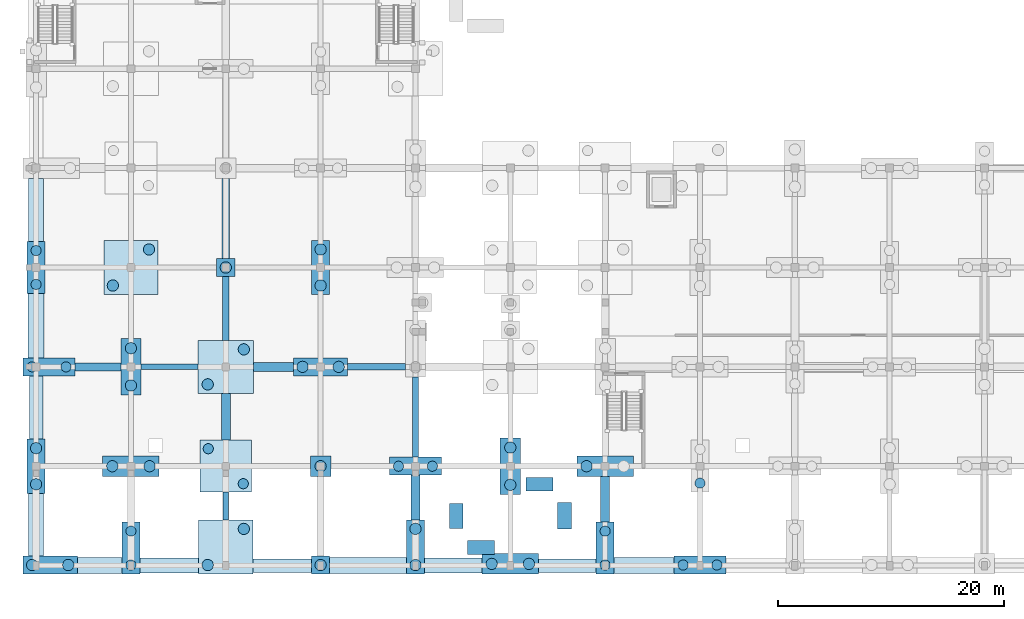
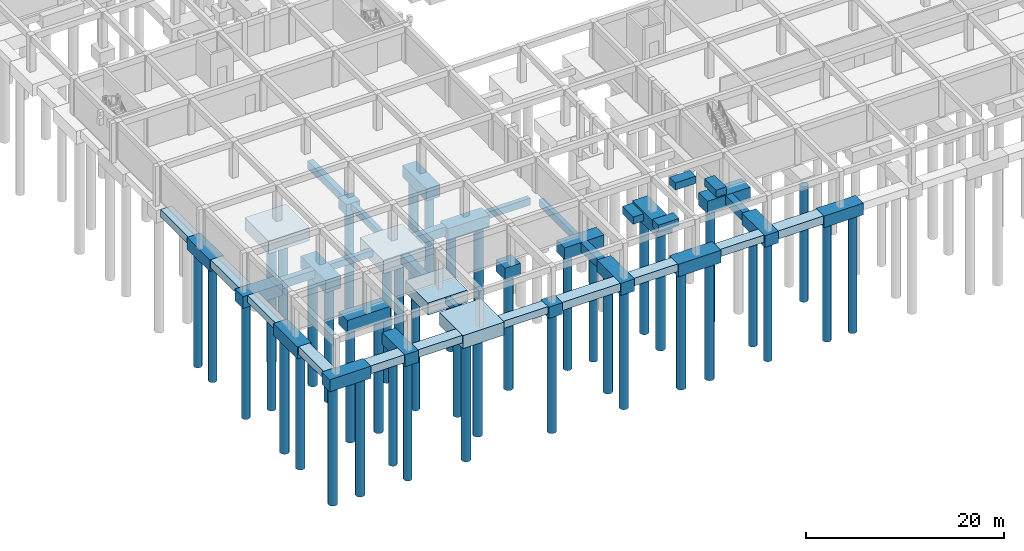
# One storey, part 1 of 41: 49 footings, 43 piles.
"""IFC4 building model written with IfcOpenShell, lengths in metres."""

from ifc_helpers import new_model, si_unit, direction, frame, origin, origin_2d, place, context, subcontext, project, spatial, rectangle, circle, extrude, material, material_profile, profile_set, type_object, element, save


model = new_model("IFC4")

# Units and contexts
model_context = context("Model", 3, precision=1e-05, world=origin(), true_north=direction((0.0, 1.0)))
body_context = subcontext(model_context, "Body", "Model", "MODEL_VIEW")
ifc_project = project(units=[si_unit("LENGTHUNIT", "METRE"), si_unit("AREAUNIT", "SQUARE_METRE"), si_unit("VOLUMEUNIT", "CUBIC_METRE"), si_unit("PLANEANGLEUNIT", "RADIAN"), si_unit("MASSUNIT", "GRAM", prefix="KILO")], contexts=[model_context])

# Site, building, storey
site_placement = place(None, origin())
site = spatial("IfcSite", under=ifc_project, at=site_placement, CompositionType="ELEMENT")
building_placement = place(site_placement, origin())
building = spatial("IfcBuilding", under=site, at=building_placement, Name="Kemercrest Conservatory and Botanical Centre", CompositionType="ELEMENT")
storey_placement = place(building_placement, frame((0.0, 0.0, -4.5)))
storey = spatial("IfcBuildingStorey", under=building, at=storey_placement, Name="B1", CompositionType="ELEMENT", Elevation=-4.5)

# Piles
ifc_material = material(Name="Concrete C40/50", Category="concrete")
ifc_material_profile_1 = material_profile(ifc_material, circle(Radius=0.5, at=origin_2d()), Name="BORED PILE 1000")
ifc_profile_set_1 = profile_set([ifc_material_profile_1], Name="Concrete C40/50")
pile_type_1 = type_object("IfcPileType", Name="BP-01", PredefinedType="BORED", material=ifc_profile_set_1)
for number, where, z_axis, x_axis, name in (
    (1, (7.64990234375, 8.050048828125, -1.39990234375), (0.0, 0.0, -1.0), (1.0, 0.0, 0.0), "Bored pile BP-01 #16"),
    (2, (10.85009765625, 8.050048828125, -1.39990234375), (0.0, 0.0, -1.0), (1.0, 0.0, 0.0), "Bored pile BP-01 #17"),
):
    element("IfcPile", number, at=place(storey_placement, frame(where, z_axis=z_axis, x_axis=x_axis)), inside=storey, type_object=pile_type_1, Name=name, PredefinedType="BORED", context=body_context, shape_type="SweptSolid", body=[
        extrude(circle(Radius=0.5, at=origin_2d()), origin(), (0.0, 0.0, 1.0), 14.60009765625),
    ])
for number, where, z_axis, x_axis, name in (
    (3, (8.0, 15.199951171875, -1.81005859375), (0.0, 0.0, -1.0), (1.0, 0.0, 0.0), "Bored pile BP-01 #18"),
    (4, (8.0, 18.39990234375, -1.81005859375), (0.0, 0.0, -1.0), (1.0, 0.0, 0.0), "Bored pile BP-01 #19"),
):
    element("IfcPile", number, at=place(storey_placement, frame(where, z_axis=z_axis, x_axis=x_axis)), inside=storey, type_object=pile_type_1, Name=name, PredefinedType="BORED", context=body_context, shape_type="SweptSolid", body=[
        extrude(circle(Radius=0.5, at=origin_2d()), origin(), (0.0, 0.0, 1.0), 14.18994140625),
    ])
for number, where, z_axis, x_axis, name in (
    (5, (14.75, 16.800048828125, -1.860107421875), (0.0, 0.0, -1.0), (1.0, 0.0, 0.0), "Bored pile BP-01 #44"),
    (6, (18.050048828125, 16.800048828125, -1.860107421875), (0.0, 0.0, -1.0), (1.0, 0.0, 0.0), "Bored pile BP-01 #45"),
    (7, (16.39990234375, 23.949951171875, -1.860107421875), (0.0, 0.0, -1.0), (1.0, 0.0, 0.0), "Bored pile BP-01 #46"),
    (8, (16.39990234375, 27.25, -1.860107421875), (0.0, 0.0, -1.0), (1.0, 0.0, 0.0), "Bored pile BP-01 #47"),
):
    element("IfcPile", number, at=place(storey_placement, frame(where, z_axis=z_axis, x_axis=x_axis)), inside=storey, type_object=pile_type_1, Name=name, PredefinedType="BORED", context=body_context, shape_type="SweptSolid", body=[
        extrude(circle(Radius=0.5, at=origin_2d()), origin(), (0.0, 0.0, 1.0), 14.139892578125),
    ])
for number, where, z_axis, x_axis, name in (
    (9, (14.800048828125, 32.800048828125, -1.909912109375), (0.0, 0.0, -1.0), (1.0, 0.0, 0.0), "Bored pile BP-01 #48"),
    (10, (18.0, 36.0, -1.909912109375), (0.0, 0.0, -1.0), (1.0, 0.0, 0.0), "Bored pile BP-01 #49"),
):
    element("IfcPile", number, at=place(storey_placement, frame(where, z_axis=z_axis, x_axis=x_axis)), inside=storey, type_object=pile_type_1, Name=name, PredefinedType="BORED", context=body_context, shape_type="SweptSolid", body=[
        extrude(circle(Radius=0.5, at=origin_2d()), origin(), (0.0, 0.0, 1.0), 14.090087890625),
    ])
for number, where, z_axis, x_axis, name in (
    (11, (23.199951171875, 8.050048828125, -1.5), (0.0, 0.0, -1.0), (1.0, 0.0, 0.0), "Bored pile BP-01 #68"),
    (12, (26.39990234375, 11.25, -1.5), (0.0, 0.0, -1.0), (1.0, 0.0, 0.0), "Bored pile BP-01 #69"),
):
    element("IfcPile", number, at=place(storey_placement, frame(where, z_axis=z_axis, x_axis=x_axis)), inside=storey, type_object=pile_type_1, Name=name, PredefinedType="BORED", context=body_context, shape_type="SweptSolid", body=[
        extrude(circle(Radius=0.5, at=origin_2d()), origin(), (0.0, 0.0, 1.0), 14.5),
    ])
for number, where, z_axis, x_axis, name in (
    (13, (23.199951171875, 24.050048828125, -1.9599609375), (0.0, 0.0, -1.0), (1.0, 0.0, 0.0), "Bored pile BP-01 #72"),
    (14, (26.39990234375, 27.14990234375, -1.9599609375), (0.0, 0.0, -1.0), (1.0, 0.0, 0.0), "Bored pile BP-01 #73"),
):
    element("IfcPile", number, at=place(storey_placement, frame(where, z_axis=z_axis, x_axis=x_axis)), inside=storey, type_object=pile_type_1, Name=name, PredefinedType="BORED", context=body_context, shape_type="SweptSolid", body=[
        extrude(circle(Radius=0.5, at=origin_2d()), origin(), (0.0, 0.0, 1.0), 14.0400390625),
    ])
pile_1_placement = place(storey_placement, frame((24.800048828125, 34.39990234375, -1.7099609375), z_axis=(0.0, 0.0, -1.0), x_axis=(1.0, 0.0, 0.0)))
element("IfcPile", 15, at=pile_1_placement, inside=storey, type_object=pile_type_1, Name="Bored pile BP-01 #74", PredefinedType="BORED", context=body_context, shape_type="SweptSolid", body=[
    extrude(circle(Radius=0.5, at=origin_2d()), origin(), (0.0, 0.0, 1.0), 14.2900390625),
])
pile_2_placement = place(storey_placement, frame((33.199951171875, 8.050048828125, -1.300048828125), z_axis=(0.0, 0.0, -1.0), x_axis=(1.0, 0.0, 0.0)))
element("IfcPile", 16, at=pile_2_placement, inside=storey, type_object=pile_type_1, Name="Bored pile BP-01 #94", PredefinedType="BORED", context=body_context, shape_type="SweptSolid", body=[
    extrude(circle(Radius=0.5, at=origin_2d()), origin(), (0.0, 0.0, 1.0), 14.699951171875),
])
pile_3_placement = place(storey_placement, frame((33.199951171875, 16.800048828125, -1.760009765625), z_axis=(0.0, 0.0, -1.0), x_axis=(1.0, 0.0, 0.0)))
element("IfcPile", 17, at=pile_3_placement, inside=storey, type_object=pile_type_1, Name="Bored pile BP-01 #95", PredefinedType="BORED", context=body_context, shape_type="SweptSolid", body=[
    extrude(circle(Radius=0.5, at=origin_2d()), origin(), (0.0, 0.0, 1.0), 14.239990234375),
])
for number, where, z_axis, x_axis, name in (
    (18, (31.60009765625, 25.60009765625, -1.81005859375), (0.0, 0.0, -1.0), (1.0, 0.0, 0.0), "Bored pile BP-01 #96"),
    (19, (34.800048828125, 25.60009765625, -1.81005859375), (0.0, 0.0, -1.0), (1.0, 0.0, 0.0), "Bored pile BP-01 #97"),
    (20, (33.199951171875, 32.800048828125, -1.81005859375), (0.0, 0.0, -1.0), (1.0, 0.0, 0.0), "Bored pile BP-01 #98"),
    (21, (33.199951171875, 36.0, -1.81005859375), (0.0, 0.0, -1.0), (1.0, 0.0, 0.0), "Bored pile BP-01 #99"),
):
    element("IfcPile", number, at=place(storey_placement, frame(where, z_axis=z_axis, x_axis=x_axis)), inside=storey, type_object=pile_type_1, Name=name, PredefinedType="BORED", context=body_context, shape_type="SweptSolid", body=[
        extrude(circle(Radius=0.5, at=origin_2d()), origin(), (0.0, 0.0, 1.0), 14.18994140625),
    ])
for number, where, z_axis, x_axis, name in (
    (22, (41.60009765625, 8.050048828125, -1.39990234375), (0.0, 0.0, -1.0), (1.0, 0.0, 0.0), "Bored pile BP-01 #118"),
    (23, (41.60009765625, 11.25, -1.39990234375), (0.0, 0.0, -1.0), (1.0, 0.0, 0.0), "Bored pile BP-01 #119"),
):
    element("IfcPile", number, at=place(storey_placement, frame(where, z_axis=z_axis, x_axis=x_axis)), inside=storey, type_object=pile_type_1, Name=name, PredefinedType="BORED", context=body_context, shape_type="SweptSolid", body=[
        extrude(circle(Radius=0.5, at=origin_2d()), origin(), (0.0, 0.0, 1.0), 14.60009765625),
    ])
for number, where, z_axis, x_axis, name in (
    (24, (48.35009765625, 8.14990234375, -1.449951171875), (0.0, 0.0, -1.0), (1.0, 0.0, 0.0), "Bored pile BP-01 #144"),
    (25, (51.64990234375, 8.14990234375, -1.449951171875), (0.0, 0.0, -1.0), (1.0, 0.0, 0.0), "Bored pile BP-01 #145"),
    (26, (50.0, 15.14990234375, -1.449951171875), (0.0, 0.0, -1.0), (1.0, 0.0, 0.0), "Bored pile BP-01 #146"),
    (27, (50.0, 18.449951171875, -1.449951171875), (0.0, 0.0, -1.0), (1.0, 0.0, 0.0), "Bored pile BP-01 #147"),
):
    element("IfcPile", number, at=place(storey_placement, frame(where, z_axis=z_axis, x_axis=x_axis)), inside=storey, type_object=pile_type_1, Name=name, PredefinedType="BORED", context=body_context, shape_type="SweptSolid", body=[
        extrude(circle(Radius=0.5, at=origin_2d()), origin(), (0.0, 0.0, 1.0), 14.550048828125),
    ])
pile_4_placement = place(storey_placement, frame((56.75, 16.800048828125, -1.860107421875), z_axis=(0.0, 0.0, -1.0), x_axis=(1.0, 0.0, 0.0)))
element("IfcPile", 28, at=pile_4_placement, inside=storey, type_object=pile_type_1, Name="Bored pile BP-01 #164", PredefinedType="BORED", context=body_context, shape_type="SweptSolid", body=[
    extrude(circle(Radius=0.5, at=origin_2d()), origin(), (0.0, 0.0, 1.0), 14.139892578125),
])
ifc_material_profile_2 = material_profile(ifc_material, circle(Radius=0.449951171875, at=origin_2d()), Name="BORED PILE 900")
ifc_profile_set_2 = profile_set([ifc_material_profile_2], Name="Concrete C40/50")
pile_type_2 = type_object("IfcPileType", Name="BP-02", PredefinedType="BORED", material=ifc_profile_set_2)
for number, where, z_axis, x_axis, name in (
    (29, (7.64990234375, 25.60009765625, -1.760009765625), (0.0, 0.0, -1.0), (1.0, 0.0, 0.0), "Bored pile BP-02 #20"),
    (30, (10.64990234375, 25.60009765625, -1.760009765625), (0.0, 0.0, -1.0), (1.0, 0.0, 0.0), "Bored pile BP-02 #21"),
    (31, (8.0, 32.89990234375, -1.760009765625), (0.0, 0.0, -1.0), (1.0, 0.0, 0.0), "Bored pile BP-02 #22"),
    (32, (8.0, 35.89990234375, -1.760009765625), (0.0, 0.0, -1.0), (1.0, 0.0, 0.0), "Bored pile BP-02 #23"),
):
    element("IfcPile", number, at=place(storey_placement, frame(where, z_axis=z_axis, x_axis=x_axis)), inside=storey, type_object=pile_type_2, Name=name, PredefinedType="BORED", context=body_context, shape_type="SweptSolid", body=[
        extrude(circle(Radius=0.449951171875, at=origin_2d()), origin(), (0.0, 0.0, 1.0), 14.239990234375),
    ])
for number, where, z_axis, x_axis, name in (
    (33, (16.39990234375, 8.050048828125, -1.35009765625), (0.0, 0.0, -1.0), (1.0, 0.0, 0.0), "Bored pile BP-02 #42"),
    (34, (16.39990234375, 11.050048828125, -1.35009765625), (0.0, 0.0, -1.0), (1.0, 0.0, 0.0), "Bored pile BP-02 #43"),
):
    element("IfcPile", number, at=place(storey_placement, frame(where, z_axis=z_axis, x_axis=x_axis)), inside=storey, type_object=pile_type_2, Name=name, PredefinedType="BORED", context=body_context, shape_type="SweptSolid", body=[
        extrude(circle(Radius=0.449951171875, at=origin_2d()), origin(), (0.0, 0.0, 1.0), 14.64990234375),
    ])
for number, where, z_axis, x_axis, name in (
    (35, (23.25, 18.35009765625, -1.81005859375), (0.0, 0.0, -1.0), (1.0, 0.0, 0.0), "Bored pile BP-02 #70"),
    (36, (26.35009765625, 15.25, -1.81005859375), (0.0, 0.0, -1.0), (1.0, 0.0, 0.0), "Bored pile BP-02 #71"),
):
    element("IfcPile", number, at=place(storey_placement, frame(where, z_axis=z_axis, x_axis=x_axis)), inside=storey, type_object=pile_type_2, Name=name, PredefinedType="BORED", context=body_context, shape_type="SweptSolid", body=[
        extrude(circle(Radius=0.449951171875, at=origin_2d()), origin(), (0.0, 0.0, 1.0), 14.18994140625),
    ])
for number, where, z_axis, x_axis, name in (
    (37, (40.10009765625, 16.800048828125, -1.760009765625), (0.0, 0.0, -1.0), (1.0, 0.0, 0.0), "Bored pile BP-02 #120"),
    (38, (43.10009765625, 16.800048828125, -1.760009765625), (0.0, 0.0, -1.0), (1.0, 0.0, 0.0), "Bored pile BP-02 #121"),
):
    element("IfcPile", number, at=place(storey_placement, frame(where, z_axis=z_axis, x_axis=x_axis)), inside=storey, type_object=pile_type_2, Name=name, PredefinedType="BORED", context=body_context, shape_type="SweptSolid", body=[
        extrude(circle(Radius=0.449951171875, at=origin_2d()), origin(), (0.0, 0.0, 1.0), 14.239990234375),
    ])
for number, where, z_axis, x_axis, name in (
    (39, (58.39990234375, 8.050048828125, -1.35009765625), (0.0, 0.0, -1.0), (1.0, 0.0, 0.0), "Bored pile BP-02 #162"),
    (40, (58.39990234375, 11.050048828125, -1.35009765625), (0.0, 0.0, -1.0), (1.0, 0.0, 0.0), "Bored pile BP-02 #163"),
    (41, (65.300048828125, 8.050048828125, -1.35009765625), (0.0, 0.0, -1.0), (1.0, 0.0, 0.0), "Bored pile BP-02 #180"),
    (42, (68.300048828125, 8.050048828125, -1.35009765625), (0.0, 0.0, -1.0), (1.0, 0.0, 0.0), "Bored pile BP-02 #181"),
):
    element("IfcPile", number, at=place(storey_placement, frame(where, z_axis=z_axis, x_axis=x_axis)), inside=storey, type_object=pile_type_2, Name=name, PredefinedType="BORED", context=body_context, shape_type="SweptSolid", body=[
        extrude(circle(Radius=0.449951171875, at=origin_2d()), origin(), (0.0, 0.0, 1.0), 14.64990234375),
    ])
pile_5_placement = place(storey_placement, frame((66.800048828125, 15.300048828125, -1.760009765625), z_axis=(0.0, 0.0, -1.0), x_axis=(1.0, 0.0, 0.0)))
element("IfcPile", 43, at=pile_5_placement, inside=storey, type_object=pile_type_2, Name="Bored pile BP-02 #182", PredefinedType="BORED", context=body_context, shape_type="SweptSolid", body=[
    extrude(circle(Radius=0.449951171875, at=origin_2d()), origin(), (0.0, 0.0, 1.0), 14.239990234375),
])

# Footings
footing_type_1 = type_object("IfcFootingType", Name="FB-02", PredefinedType="FOOTING_BEAM", material=ifc_material)
footing_1_placement = place(storey_placement, frame((13.47509765625, 25.60009765625, -1.409912109375), z_axis=(0.0, 0.0, 1.0), x_axis=(1.0, 0.0, 0.0)))
element("IfcFooting", 44, at=footing_1_placement, inside=storey, type_object=footing_type_1, Name="Seismic tie footing beam FB-02", PredefinedType="FOOTING_BEAM", context=body_context, shape_type="SweptSolid", body=[
    extrude(rectangle(XDim=4.050048828125, YDim=0.699951171875, at=origin_2d()), origin(), (0.0, 0.0, 1.0), 1.0),
])
footing_type_2 = type_object("IfcFootingType", Name="FB-03", PredefinedType="FOOTING_BEAM", material=ifc_material)
footing_2_placement = place(storey_placement, frame((19.824951171875, 25.60009765625, -1.2099609375), z_axis=(0.0, 0.0, 1.0), x_axis=(1.0, 0.0, 0.0)))
element("IfcFooting", 45, at=footing_2_placement, inside=storey, type_object=footing_type_2, Name="Seismic tie footing beam FB-03", PredefinedType="FOOTING_BEAM", context=body_context, shape_type="SweptSolid", body=[
    extrude(rectangle(XDim=5.050048828125, YDim=0.5, at=origin_2d()), origin(), (0.0, 0.0, 1.0), 0.800048828125),
])
footing_3_placement = place(storey_placement, frame((24.800048828125, 13.27490234375, -1.2099609375), z_axis=(0.0, 0.0, 1.0), x_axis=(1.0, 0.0, 0.0)))
element("IfcFooting", 46, at=footing_3_placement, inside=storey, type_object=footing_type_2, Name="Seismic tie footing beam FB-03", PredefinedType="FOOTING_BEAM", context=body_context, shape_type="SweptSolid", body=[
    extrude(rectangle(XDim=0.5, YDim=2.449951171875, at=origin_2d()), origin(), (0.0, 0.0, 1.0), 0.800048828125),
])
footing_type_3 = type_object("IfcFootingType", Name="FB-04", PredefinedType="FOOTING_BEAM", material=ifc_material)
footing_4_placement = place(storey_placement, frame((29.02490234375, 25.60009765625, -1.510009765625), z_axis=(0.0, 0.0, 1.0), x_axis=(1.0, 0.0, 0.0)))
element("IfcFooting", 47, at=footing_4_placement, inside=storey, type_object=footing_type_3, Name="Seismic tie footing beam FB-04", PredefinedType="FOOTING_BEAM", context=body_context, shape_type="SweptSolid", body=[
    extrude(rectangle(XDim=3.550048828125, YDim=0.800048828125, at=origin_2d()), origin(), (0.0, 0.0, 1.0), 1.10009765625),
])
footing_5_placement = place(storey_placement, frame((24.800048828125, 21.175048828125, -1.510009765625), z_axis=(0.0, 0.0, 1.0), x_axis=(1.0, 0.0, 0.0)))
element("IfcFooting", 48, at=footing_5_placement, inside=storey, type_object=footing_type_3, Name="Seismic tie footing beam FB-04", PredefinedType="FOOTING_BEAM", context=body_context, shape_type="SweptSolid", body=[
    extrude(rectangle(XDim=0.800048828125, YDim=4.14990234375, at=origin_2d()), origin(), (0.0, 0.0, 1.0), 1.10009765625),
])
footing_6_placement = place(storey_placement, frame((41.60009765625, 14.02490234375, -1.510009765625), z_axis=(0.0, 0.0, 1.0), x_axis=(1.0, 0.0, 0.0)))
element("IfcFooting", 49, at=footing_6_placement, inside=storey, type_object=footing_type_3, Name="Seismic tie footing beam FB-04", PredefinedType="FOOTING_BEAM", context=body_context, shape_type="SweptSolid", body=[
    extrude(rectangle(XDim=0.800048828125, YDim=3.949951171875, at=origin_2d()), origin(), (0.0, 0.0, 1.0), 1.10009765625),
])
footing_7_placement = place(storey_placement, frame((58.39990234375, 13.875, -1.510009765625), z_axis=(0.0, 0.0, 1.0), x_axis=(1.0, 0.0, 0.0)))
element("IfcFooting", 50, at=footing_7_placement, inside=storey, type_object=footing_type_3, Name="Seismic tie footing beam FB-04", PredefinedType="FOOTING_BEAM", context=body_context, shape_type="SweptSolid", body=[
    extrude(rectangle(XDim=0.800048828125, YDim=4.050048828125, at=origin_2d()), origin(), (0.0, 0.0, 1.0), 1.10009765625),
])
footing_type_4 = type_object("IfcFootingType", Name="FB-05", PredefinedType="FOOTING_BEAM", material=ifc_material)
footing_8_placement = place(storey_placement, frame((38.14990234375, 25.60009765625, -1.260009765625), z_axis=(0.0, 0.0, 1.0), x_axis=(1.0, 0.0, 0.0)))
element("IfcFooting", 51, at=footing_8_placement, inside=storey, type_object=footing_type_4, Name="Seismic tie footing beam FB-05", PredefinedType="FOOTING_BEAM", context=body_context, shape_type="SweptSolid", body=[
    extrude(rectangle(XDim=5.10009765625, YDim=0.550048828125, at=origin_2d()), origin(), (0.0, 0.0, 1.0), 0.85009765625),
])
footing_9_placement = place(storey_placement, frame((24.800048828125, 30.77490234375, -1.260009765625), z_axis=(0.0, 0.0, 1.0), x_axis=(1.0, 0.0, 0.0)))
element("IfcFooting", 52, at=footing_9_placement, inside=storey, type_object=footing_type_4, Name="Seismic tie footing beam FB-05", PredefinedType="FOOTING_BEAM", context=body_context, shape_type="SweptSolid", body=[
    extrude(rectangle(XDim=0.550048828125, YDim=5.64990234375, at=origin_2d()), origin(), (0.0, 0.0, 1.0), 0.85009765625),
])
footing_10_placement = place(storey_placement, frame((41.60009765625, 21.159912109375, -1.260009765625), z_axis=(0.0, 0.0, 1.0), x_axis=(1.0, 0.0, 0.0)))
element("IfcFooting", 53, at=footing_10_placement, inside=storey, type_object=footing_type_4, Name="Seismic tie footing beam FB-05", PredefinedType="FOOTING_BEAM", context=body_context, shape_type="SweptSolid", body=[
    extrude(rectangle(XDim=0.550048828125, YDim=7.1201171875, at=origin_2d()), origin(), (0.0, 0.0, 1.0), 0.85009765625),
])
footing_type_5 = type_object("IfcFootingType", Name="FB-06", PredefinedType="FOOTING_BEAM", material=ifc_material)
footing_11_placement = place(storey_placement, frame((24.800048828125, 38.75, -1.35986328125), z_axis=(0.0, 0.0, 1.0), x_axis=(1.0, 0.0, 0.0)))
element("IfcFooting", 54, at=footing_11_placement, inside=storey, type_object=footing_type_5, Name="Seismic tie footing beam FB-06", PredefinedType="FOOTING_BEAM", context=body_context, shape_type="SweptSolid", body=[
    extrude(rectangle(XDim=0.64990234375, YDim=7.10009765625, at=origin_2d()), origin(), (0.0, 0.0, 1.0), 0.949951171875),
])
footing_type_6 = type_object("IfcFootingType", Name="PC-01", PredefinedType="PILE_CAP", material=ifc_material)
for number, where, z_axis, x_axis, name in (
    (55, (24.800048828125, 34.39990234375, -1.81005859375), (0.0, 0.0, 1.0), (1.0, 0.0, 0.0), "Pile cap PC-01 at (24.8, 34.4)"),
    (56, (33.199951171875, 8.050048828125, -1.39990234375), (0.0, 0.0, 1.0), (1.0, 0.0, 0.0), "Pile cap PC-01 at (33.2, 8.1)"),
):
    element("IfcFooting", number, at=place(storey_placement, frame(where, z_axis=z_axis, x_axis=x_axis)), inside=storey, type_object=footing_type_6, Name=name, PredefinedType="PILE_CAP", context=body_context, shape_type="SweptSolid", body=[
        extrude(rectangle(XDim=1.60009765625, YDim=1.60009765625, at=origin_2d()), origin(), (0.0, 0.0, 1.0), 1.39990234375),
    ])
footing_type_7 = type_object("IfcFootingType", Name="PC-02", PredefinedType="PILE_CAP", material=ifc_material)
for number, where, z_axis, x_axis, name in (
    (57, (9.25, 8.050048828125, -1.5), (0.0, 0.0, 1.0), (1.0, 0.0, 0.0), "Pile cap PC-02 at (9.2, 8.1)"),
    (58, (33.199951171875, 25.60009765625, -1.909912109375), (0.0, 0.0, 1.0), (1.0, 0.0, 0.0), "Pile cap PC-02 at (33.2, 25.6)"),
):
    element("IfcFooting", number, at=place(storey_placement, frame(where, z_axis=z_axis, x_axis=x_axis)), inside=storey, type_object=footing_type_7, Name=name, PredefinedType="PILE_CAP", context=body_context, shape_type="SweptSolid", body=[
        extrude(rectangle(XDim=4.800048828125, YDim=1.60009765625, at=origin_2d()), origin(), (0.0, 0.0, 1.0), 1.5),
    ])
footing_type_8 = type_object("IfcFootingType", Name="PC-03", PredefinedType="PILE_CAP", material=ifc_material)
for number, where, z_axis, x_axis, name in (
    (59, (8.0, 16.800048828125, -1.909912109375), (0.0, 0.0, 1.0), (1.0, 0.0, 0.0), "Pile cap PC-03 at (8.0, 16.8)"),
    (60, (33.199951171875, 34.39990234375, -1.909912109375), (0.0, 0.0, 1.0), (1.0, 0.0, 0.0), "Pile cap PC-03 at (33.2, 34.4)"),
    (61, (41.60009765625, 9.64990234375, -1.5), (0.0, 0.0, 1.0), (1.0, 0.0, 0.0), "Pile cap PC-03 at (41.6, 9.7)"),
):
    element("IfcFooting", number, at=place(storey_placement, frame(where, z_axis=z_axis, x_axis=x_axis)), inside=storey, type_object=footing_type_8, Name=name, PredefinedType="PILE_CAP", context=body_context, shape_type="SweptSolid", body=[
        extrude(rectangle(XDim=1.60009765625, YDim=4.800048828125, at=origin_2d()), origin(), (0.0, 0.0, 1.0), 1.5),
    ])
footing_type_9 = type_object("IfcFootingType", Name="PC-04", PredefinedType="PILE_CAP", material=ifc_material)
for number, where, z_axis, x_axis, name in (
    (62, (16.39990234375, 34.39990234375, -2.010009765625), (0.0, 0.0, 1.0), (1.0, 0.0, 0.0), "Pile cap PC-04 at (16.4, 34.4)"),
    (63, (24.800048828125, 9.64990234375, -1.60009765625), (0.0, 0.0, 1.0), (1.0, 0.0, 0.0), "Pile cap PC-04 at (24.8, 9.7)"),
):
    element("IfcFooting", number, at=place(storey_placement, frame(where, z_axis=z_axis, x_axis=x_axis)), inside=storey, type_object=footing_type_9, Name=name, PredefinedType="PILE_CAP", context=body_context, shape_type="SweptSolid", body=[
        extrude(rectangle(XDim=4.800048828125, YDim=4.800048828125, at=origin_2d()), origin(), (0.0, 0.0, 1.0), 1.60009765625),
    ])
footing_type_10 = type_object("IfcFootingType", Name="PC-05", PredefinedType="PILE_CAP", material=ifc_material)
footing_12_placement = place(storey_placement, frame((24.800048828125, 16.800048828125, -1.909912109375), z_axis=(0.0, 0.0, 1.0), x_axis=(1.0, 0.0, 0.0)))
element("IfcFooting", 64, at=footing_12_placement, inside=storey, type_object=footing_type_10, Name="Pile cap PC-05 at (24.8, 16.8)", PredefinedType="PILE_CAP", context=body_context, shape_type="SweptSolid", body=[
    extrude(rectangle(XDim=4.60009765625, YDim=4.60009765625, at=origin_2d()), origin(), (0.0, 0.0, 1.0), 1.5),
])
footing_type_11 = type_object("IfcFootingType", Name="PC-08", PredefinedType="PILE_CAP", material=ifc_material)
for number, where, z_axis, x_axis, name in (
    (65, (9.14990234375, 25.60009765625, -1.85986328125), (0.0, 0.0, 1.0), (1.0, 0.0, 0.0), "Pile cap PC-08 at (9.2, 25.6)"),
    (66, (41.60009765625, 16.800048828125, -1.85986328125), (0.0, 0.0, 1.0), (1.0, 0.0, 0.0), "Pile cap PC-08 at (41.6, 16.8)"),
    (67, (66.800048828125, 8.050048828125, -1.4501953125), (0.0, 0.0, 1.0), (1.0, 0.0, 0.0), "Pile cap PC-08 at (66.8, 8.1)"),
):
    element("IfcFooting", number, at=place(storey_placement, frame(where, z_axis=z_axis, x_axis=x_axis)), inside=storey, type_object=footing_type_11, Name=name, PredefinedType="PILE_CAP", context=body_context, shape_type="SweptSolid", body=[
        extrude(rectangle(XDim=4.60009765625, YDim=1.60009765625, at=origin_2d()), origin(), (0.0, 0.0, 1.0), 1.449951171875),
    ])
footing_type_12 = type_object("IfcFootingType", Name="PC-09", PredefinedType="PILE_CAP", material=ifc_material)
for number, where, z_axis, x_axis, name in (
    (68, (8.0, 34.39990234375, -1.85986328125), (0.0, 0.0, 1.0), (1.0, 0.0, 0.0), "Pile cap PC-09 at (8.0, 34.4)"),
    (69, (16.39990234375, 9.550048828125, -1.4501953125), (0.0, 0.0, 1.0), (1.0, 0.0, 0.0), "Pile cap PC-09 at (16.4, 9.6)"),
    (70, (58.39990234375, 9.550048828125, -1.4501953125), (0.0, 0.0, 1.0), (1.0, 0.0, 0.0), "Pile cap PC-09 at (58.4, 9.6)"),
):
    element("IfcFooting", number, at=place(storey_placement, frame(where, z_axis=z_axis, x_axis=x_axis)), inside=storey, type_object=footing_type_12, Name=name, PredefinedType="PILE_CAP", context=body_context, shape_type="SweptSolid", body=[
        extrude(rectangle(XDim=1.60009765625, YDim=4.60009765625, at=origin_2d()), origin(), (0.0, 0.0, 1.0), 1.449951171875),
    ])
footing_type_13 = type_object("IfcFootingType", Name="PC-12", PredefinedType="PILE_CAP", material=ifc_material)
footing_13_placement = place(storey_placement, frame((33.199951171875, 16.800048828125, -1.85986328125), z_axis=(0.0, 0.0, 1.0), x_axis=(1.0, 0.0, 0.0)))
element("IfcFooting", 71, at=footing_13_placement, inside=storey, type_object=footing_type_13, Name="Pile cap PC-12 at (33.2, 16.8)", PredefinedType="PILE_CAP", context=body_context, shape_type="SweptSolid", body=[
    extrude(rectangle(XDim=1.800048828125, YDim=1.800048828125, at=origin_2d()), origin(), (0.0, 0.0, 1.0), 1.449951171875),
])
footing_type_14 = type_object("IfcFootingType", Name="PC-13", PredefinedType="PILE_CAP", material=ifc_material)
for number, where, z_axis, x_axis, name in (
    (72, (16.39990234375, 16.800048828125, -1.9599609375), (0.0, 0.0, 1.0), (1.0, 0.0, 0.0), "Pile cap PC-13 at (16.4, 16.8)"),
    (73, (50.0, 8.14990234375, -1.5498046875), (0.0, 0.0, 1.0), (1.0, 0.0, 0.0), "Pile cap PC-13 at (50.0, 8.2)"),
    (74, (58.39990234375, 16.800048828125, -1.9599609375), (0.0, 0.0, 1.0), (1.0, 0.0, 0.0), "Pile cap PC-13 at (58.4, 16.8)"),
):
    element("IfcFooting", number, at=place(storey_placement, frame(where, z_axis=z_axis, x_axis=x_axis)), inside=storey, type_object=footing_type_14, Name=name, PredefinedType="PILE_CAP", context=body_context, shape_type="SweptSolid", body=[
        extrude(rectangle(XDim=5.0, YDim=1.800048828125, at=origin_2d()), origin(), (0.0, 0.0, 1.0), 1.550048828125),
    ])
footing_type_15 = type_object("IfcFootingType", Name="PC-14", PredefinedType="PILE_CAP", material=ifc_material)
for number, where, z_axis, x_axis, name in (
    (75, (16.39990234375, 25.60009765625, -1.9599609375), (0.0, 0.0, 1.0), (1.0, 0.0, 0.0), "Pile cap PC-14 at (16.4, 25.6)"),
    (76, (50.0, 16.800048828125, -1.5498046875), (0.0, 0.0, 1.0), (1.0, 0.0, 0.0), "Pile cap PC-14 at (50.0, 16.8)"),
):
    element("IfcFooting", number, at=place(storey_placement, frame(where, z_axis=z_axis, x_axis=x_axis)), inside=storey, type_object=footing_type_15, Name=name, PredefinedType="PILE_CAP", context=body_context, shape_type="SweptSolid", body=[
        extrude(rectangle(XDim=1.800048828125, YDim=5.0, at=origin_2d()), origin(), (0.0, 0.0, 1.0), 1.550048828125),
    ])
footing_type_16 = type_object("IfcFootingType", Name="PC-16", PredefinedType="PILE_CAP", material=ifc_material)
footing_14_placement = place(storey_placement, frame((24.800048828125, 25.60009765625, -2.06005859375), z_axis=(0.0, 0.0, 1.0), x_axis=(1.0, 0.0, 0.0)))
element("IfcFooting", 77, at=footing_14_placement, inside=storey, type_object=footing_type_16, Name="Pile cap PC-16 at (24.8, 25.6)", PredefinedType="PILE_CAP", context=body_context, shape_type="SweptSolid", body=[
    extrude(rectangle(XDim=4.89990234375, YDim=4.699951171875, at=origin_2d()), origin(), (0.0, 0.0, 1.0), 1.64990234375),
])
footing_type_17 = type_object("IfcFootingType", Name="PF-02", PredefinedType="PAD_FOOTING", material=ifc_material)
for number, where, z_axis, x_axis, name in (
    (78, (47.39990234375, 9.60009765625, 3.320068359375), (0.0, 0.0, 1.0), (1.0, 0.0, 0.0), "Forecourt plaza AR-01 grade strip footing S"),
    (79, (52.60009765625, 15.199951171875, 3.320068359375), (0.0, 0.0, 1.0), (1.0, 0.0, 0.0), "Forecourt plaza AR-01 grade strip footing N"),
):
    element("IfcFooting", number, at=place(storey_placement, frame(where, z_axis=z_axis, x_axis=x_axis)), inside=storey, type_object=footing_type_17, Name=name, PredefinedType="PAD_FOOTING", context=body_context, shape_type="SweptSolid", body=[
        extrude(rectangle(XDim=2.39990234375, YDim=1.199951171875, at=origin_2d()), origin(), (0.0, 0.0, 1.0), 0.89990234375),
    ])
footing_type_18 = type_object("IfcFootingType", Name="PF-03", PredefinedType="PAD_FOOTING", material=ifc_material)
footing_15_placement = place(storey_placement, frame((45.199951171875, 12.39990234375, 3.5), z_axis=(0.0, 0.0, 1.0), x_axis=(1.0, 0.0, 0.0)))
element("IfcFooting", 80, at=footing_15_placement, inside=storey, type_object=footing_type_18, Name="Accessible ramp AR-01 grade toe strip footing", PredefinedType="PAD_FOOTING", context=body_context, shape_type="SweptSolid", body=[
    extrude(rectangle(XDim=1.199951171875, YDim=2.199951171875, at=origin_2d()), origin(), (0.0, 0.0, 1.0), 0.89990234375),
])
footing_16_placement = place(storey_placement, frame((54.800048828125, 12.39990234375, 3.5), z_axis=(0.0, 0.0, 1.0), x_axis=(1.0, 0.0, 0.0)))
element("IfcFooting", 81, at=footing_16_placement, inside=storey, type_object=footing_type_18, Name="Accessible ramp AR-02 grade toe strip footing", PredefinedType="PAD_FOOTING", context=body_context, shape_type="SweptSolid", body=[
    extrude(rectangle(XDim=1.199951171875, YDim=2.35009765625, at=origin_2d()), origin(), (0.0, 0.0, 1.0), 0.89990234375),
])
footing_type_19 = type_object("IfcFootingType", Name="SF-01", PredefinedType="STRIP_FOOTING", material=ifc_material)
footing_17_placement = place(storey_placement, frame((29.800048828125, 8.0, -0.89990234375), z_axis=(0.0, 0.0, 1.0), x_axis=(1.0, 0.0, 0.0)))
element("IfcFooting", 82, at=footing_17_placement, inside=storey, type_object=footing_type_19, Name="Perimeter strip footing SF-01", PredefinedType="STRIP_FOOTING", context=body_context, shape_type="SweptSolid", body=[
    extrude(rectangle(XDim=5.199951171875, YDim=1.199951171875, at=origin_2d()), origin(), (0.0, 0.0, 1.0), 0.89990234375),
])
footing_18_placement = place(storey_placement, frame((55.050048828125, 8.0, -0.89990234375), z_axis=(0.0, 0.0, 1.0), x_axis=(1.0, 0.0, 0.0)))
element("IfcFooting", 83, at=footing_18_placement, inside=storey, type_object=footing_type_19, Name="Perimeter strip footing SF-01", PredefinedType="STRIP_FOOTING", context=body_context, shape_type="SweptSolid", body=[
    extrude(rectangle(XDim=5.10009765625, YDim=1.199951171875, at=origin_2d()), origin(), (0.0, 0.0, 1.0), 0.89990234375),
])
footing_19_placement = place(storey_placement, frame((8.0, 22.0, -1.31005859375), z_axis=(0.0, 0.0, 1.0), x_axis=(1.0, 0.0, 0.0)))
element("IfcFooting", 84, at=footing_19_placement, inside=storey, type_object=footing_type_19, Name="Perimeter strip footing SF-01", PredefinedType="STRIP_FOOTING", context=body_context, shape_type="SweptSolid", body=[
    extrude(rectangle(XDim=1.199951171875, YDim=5.60009765625, at=origin_2d()), origin(), (0.0, 0.0, 1.0), 0.89990234375),
])
footing_type_20 = type_object("IfcFootingType", Name="SF-02", PredefinedType="STRIP_FOOTING", material=ifc_material)
footing_20_placement = place(storey_placement, frame((13.625, 8.0, -1.0), z_axis=(0.0, 0.0, 1.0), x_axis=(1.0, 0.0, 0.0)))
element("IfcFooting", 85, at=footing_20_placement, inside=storey, type_object=footing_type_20, Name="Perimeter strip footing SF-02", PredefinedType="STRIP_FOOTING", context=body_context, shape_type="SweptSolid", body=[
    extrude(rectangle(XDim=3.949951171875, YDim=1.39990234375, at=origin_2d()), origin(), (0.0, 0.0, 1.0), 1.0),
])
footing_21_placement = place(storey_placement, frame((37.39990234375, 8.0, -1.0), z_axis=(0.0, 0.0, 1.0), x_axis=(1.0, 0.0, 0.0)))
element("IfcFooting", 86, at=footing_21_placement, inside=storey, type_object=footing_type_20, Name="Perimeter strip footing SF-02", PredefinedType="STRIP_FOOTING", context=body_context, shape_type="SweptSolid", body=[
    extrude(rectangle(XDim=6.800048828125, YDim=1.39990234375, at=origin_2d()), origin(), (0.0, 0.0, 1.0), 1.0),
])
footing_22_placement = place(storey_placement, frame((61.85009765625, 8.0, -1.0), z_axis=(0.0, 0.0, 1.0), x_axis=(1.0, 0.0, 0.0)))
element("IfcFooting", 87, at=footing_22_placement, inside=storey, type_object=footing_type_20, Name="Perimeter strip footing SF-02", PredefinedType="STRIP_FOOTING", context=body_context, shape_type="SweptSolid", body=[
    extrude(rectangle(XDim=5.300048828125, YDim=1.39990234375, at=origin_2d()), origin(), (0.0, 0.0, 1.0), 1.0),
])
footing_23_placement = place(storey_placement, frame((8.0, 29.25, -1.409912109375), z_axis=(0.0, 0.0, 1.0), x_axis=(1.0, 0.0, 0.0)))
element("IfcFooting", 88, at=footing_23_placement, inside=storey, type_object=footing_type_20, Name="Perimeter strip footing SF-02", PredefinedType="STRIP_FOOTING", context=body_context, shape_type="SweptSolid", body=[
    extrude(rectangle(XDim=1.39990234375, YDim=5.699951171875, at=origin_2d()), origin(), (0.0, 0.0, 1.0), 1.0),
])
footing_type_21 = type_object("IfcFootingType", Name="SF-03", PredefinedType="STRIP_FOOTING", material=ifc_material)
footing_24_placement = place(storey_placement, frame((19.800048828125, 8.0, -0.9501953125), z_axis=(0.0, 0.0, 1.0), x_axis=(1.0, 0.0, 0.0)))
element("IfcFooting", 89, at=footing_24_placement, inside=storey, type_object=footing_type_21, Name="Perimeter strip footing SF-03", PredefinedType="STRIP_FOOTING", context=body_context, shape_type="SweptSolid", body=[
    extrude(rectangle(XDim=5.199951171875, YDim=1.300048828125, at=origin_2d()), origin(), (0.0, 0.0, 1.0), 0.949951171875),
])
footing_25_placement = place(storey_placement, frame((44.949951171875, 8.0, -0.9501953125), z_axis=(0.0, 0.0, 1.0), x_axis=(1.0, 0.0, 0.0)))
element("IfcFooting", 90, at=footing_25_placement, inside=storey, type_object=footing_type_21, Name="Perimeter strip footing SF-03", PredefinedType="STRIP_FOOTING", context=body_context, shape_type="SweptSolid", body=[
    extrude(rectangle(XDim=5.10009765625, YDim=1.300048828125, at=origin_2d()), origin(), (0.0, 0.0, 1.0), 0.949951171875),
])
footing_26_placement = place(storey_placement, frame((8.0, 11.625, -1.35986328125), z_axis=(0.0, 0.0, 1.0), x_axis=(1.0, 0.0, 0.0)))
element("IfcFooting", 91, at=footing_26_placement, inside=storey, type_object=footing_type_21, Name="Perimeter strip footing SF-03", PredefinedType="STRIP_FOOTING", context=body_context, shape_type="SweptSolid", body=[
    extrude(rectangle(XDim=1.300048828125, YDim=5.550048828125, at=origin_2d()), origin(), (0.0, 0.0, 1.0), 0.949951171875),
])
footing_27_placement = place(storey_placement, frame((8.0, 39.5, -1.35986328125), z_axis=(0.0, 0.0, 1.0), x_axis=(1.0, 0.0, 0.0)))
element("IfcFooting", 92, at=footing_27_placement, inside=storey, type_object=footing_type_21, Name="Perimeter strip footing SF-03", PredefinedType="STRIP_FOOTING", context=body_context, shape_type="SweptSolid", body=[
    extrude(rectangle(XDim=1.300048828125, YDim=5.60009765625, at=origin_2d()), origin(), (0.0, 0.0, 1.0), 0.949951171875),
])

save(model, "model.ifc")
